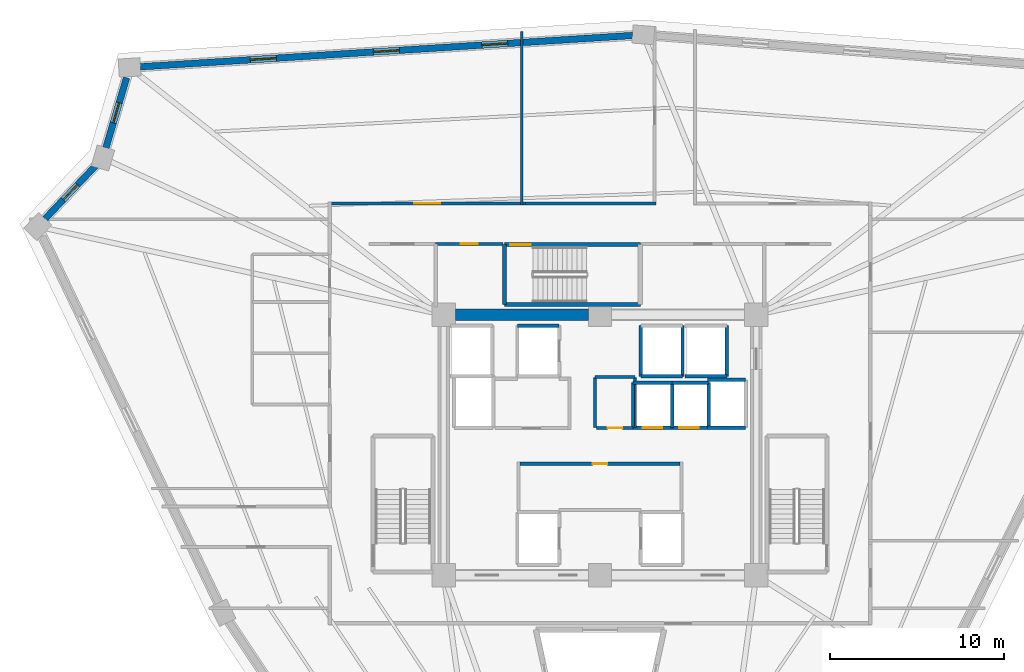
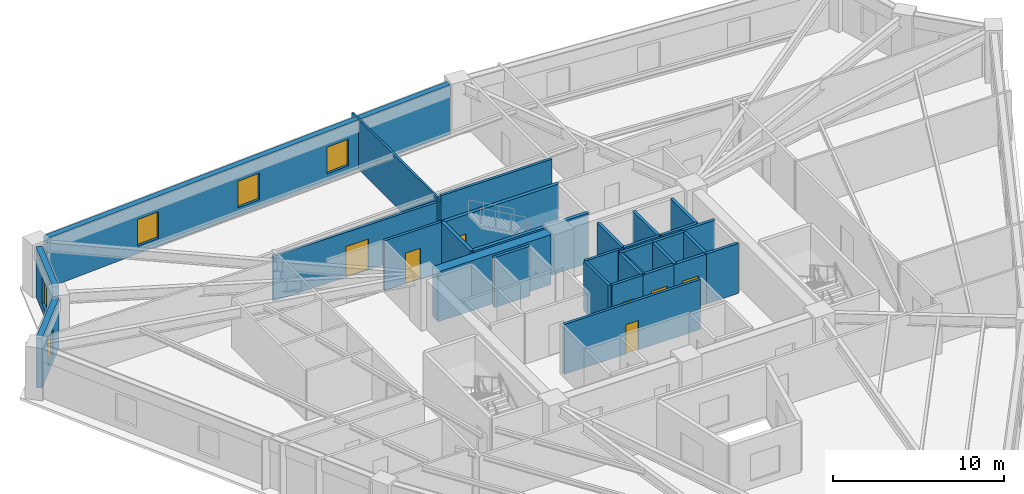
# One storey, part 5 of 8: 31 walls, 7 doors, 5 windows, 12 openings.
"""IFC4 building model written with IfcOpenShell, lengths in metres."""

from ifc_helpers import new_model, si_unit, direction, frame, frame_2d, origin, place, context, subcontext, project, spatial, rectangle, extrude, source, transform, mapped, material, layer, layer_set, type_object, element, fill, save


model = new_model("IFC4")

# Units and contexts
model_context = context("Model", 3, precision=1e-05, world=origin(), true_north=direction((0.0, 1.0)))
body_context = subcontext(model_context, "Body", "Model", "MODEL_VIEW")
ifc_project = project(units=[si_unit("LENGTHUNIT", "METRE"), si_unit("AREAUNIT", "SQUARE_METRE"), si_unit("VOLUMEUNIT", "CUBIC_METRE"), si_unit("PLANEANGLEUNIT", "RADIAN"), si_unit("MASSUNIT", "GRAM", prefix="KILO")], contexts=[model_context])

# Site, building, storey
site_placement = place(None, origin())
site = spatial("IfcSite", under=ifc_project, at=site_placement, CompositionType="ELEMENT")
building_placement = place(site_placement, origin())
building = spatial("IfcBuilding", under=site, at=building_placement, Name="Liaohun Quay Tower", CompositionType="ELEMENT")
storey_placement = place(building_placement, frame((0.0, 0.0, 240.0)))
storey = spatial("IfcBuildingStorey", under=building, at=storey_placement, Name="L62", CompositionType="ELEMENT", Elevation=240.0)

# Wall
ifc_material_1 = material(Name="Concrete C55", Category="concrete")
ifc_layer_1 = layer(ifc_material_1, 0.64990234375, Name="Concrete C55", Category="concrete")
ifc_layer_set_1 = layer_set([ifc_layer_1], Name="Concrete C55")
wall_type_1 = type_object("IfcWallType", Name="WAL-COR-Z3", PredefinedType="SHEAR", material=ifc_layer_set_1)
wall_1_placement = place(storey_placement, frame((51.675048828125, 61.5, 0.0), z_axis=(0.0, 0.0, 1.0), x_axis=(1.0, 0.0, 0.0)))
element("IfcWall", 1, at=wall_1_placement, inside=storey, type_object=wall_type_1, Name="L62 Central Core Shear Wall N-W", PredefinedType="SHEAR", context=body_context, shape_type="SweptSolid", body=[
    extrude(rectangle(XDim=7.64990234375, YDim=0.64990234375, at=frame_2d((3.824951171875, 0.0))), origin(), (0.0, 0.0, 1.0), 3.570068359375),
])

# Wall, openings, windows
ifc_material_2 = material(Name="Precast concrete C50 insulated sandwich", Category="concrete")
ifc_layer_2 = layer(ifc_material_2, 0.3798828125, Name="Precast concrete C50 insulated sandwich", Category="concrete")
ifc_layer_set_2 = layer_set([ifc_layer_2], Name="Precast concrete C50 insulated sandwich")
wall_type_2 = type_object("IfcWallType", Name="WAL-EXT-Z34", PredefinedType="SOLIDWALL", material=ifc_layer_set_2)
wall_2_placement = place(storey_placement, frame((61.876953125, 77.5810546875, 0.0), z_axis=(0.0, 0.0, 1.0), x_axis=(-0.997981063215, -0.063512183593, 0.0)))
wall_2 = element("IfcWall", 2, at=wall_2_placement, inside=storey, type_object=wall_type_2, Name="L62 Brutalist Precast Pier Wall 07", PredefinedType="SOLIDWALL", context=body_context, shape_type="SweptSolid", body=[
    extrude(rectangle(XDim=28.4033203125, YDim=0.3798828125, at=frame_2d((14.20166015625, 0.0))), origin(), (0.0, 0.0, 1.0), 3.570068359375),
])
shared_shape_1 = source(origin(), body_context, "Body", "SweptSolid", [
    extrude(rectangle(XDim=1.5, YDim=1.89990234375, at=frame_2d((0.75, 0.949951171875))), frame((0.0, 0.199951171875, 0.0), z_axis=(0.0, -1.0, 0.0), x_axis=(1.0, 0.0, 0.0)), (0.0, 0.0, 1.0), 0.39990234375),
])
opening_1_placement = place(wall_2_placement, frame((7.200927734375, 0.0, 0.550048828125)))
opening_1 = element("IfcOpeningElement", 3, at=opening_1_placement, cuts=wall_2, Name="Opening W03", PredefinedType="OPENING", context=body_context, shape_type="MappedRepresentation", body=[
    mapped(shared_shape_1, transform((0.0, 0.0, 0.0), x_axis=(1.0, 0.0, 0.0), y_axis=(0.0, 1.0, 0.0), z_axis=(0.0, 0.0, 1.0), scale=1.0)),
])
opening_2_placement = place(wall_2_placement, frame((13.451904296875, 0.0, 0.550048828125)))
opening_2 = element("IfcOpeningElement", 4, at=opening_2_placement, cuts=wall_2, Name="Opening W03", PredefinedType="OPENING", context=body_context, shape_type="MappedRepresentation", body=[
    mapped(shared_shape_1, transform((0.0, 0.0, 0.0), x_axis=(1.0, 0.0, 0.0), y_axis=(0.0, 1.0, 0.0), z_axis=(0.0, 0.0, 1.0), scale=1.0)),
])
opening_3_placement = place(wall_2_placement, frame((20.552978515625, 0.0, 0.550048828125)))
opening_3 = element("IfcOpeningElement", 5, at=opening_3_placement, cuts=wall_2, Name="Opening W03", PredefinedType="OPENING", context=body_context, shape_type="MappedRepresentation", body=[
    mapped(shared_shape_1, transform((0.0, 0.0, 0.0), x_axis=(1.0, 0.0, 0.0), y_axis=(0.0, 1.0, 0.0), z_axis=(0.0, 0.0, 1.0), scale=1.0)),
])
ifc_material_3 = material(Name="Triple Low-E argon glazing in thermally broken aluminium", Category="aluminium")
window_type_1 = type_object("IfcWindowType", Name="WIN-PUN-Z3", PartitioningType="DOUBLE_PANEL_VERTICAL", PredefinedType="WINDOW", material=ifc_material_3)
shared_shape_2 = source(origin(), body_context, "Body", "SweptSolid", [
    extrude(rectangle(XDim=1.5, YDim=1.89990234375, at=frame_2d((0.75, 0.949951171875))), frame((0.0, 0.030029296875, 0.0), z_axis=(0.0, -1.0, 0.0), x_axis=(1.0, 0.0, 0.0)), (0.0, 0.0, 1.0), 0.06005859375),
])
window_1_placement = place(opening_1_placement, origin())
window_1 = element("IfcWindow", 6, at=window_1_placement, inside=storey, type_object=window_type_1, Name="L62 Recessed Cold-Climate Punched Window 07-1", OverallHeight=1.89990234375, OverallWidth=1.5, PartitioningType="DOUBLE_PANEL_VERTICAL", PredefinedType="WINDOW", context=body_context, shape_type="MappedRepresentation", body=[
    mapped(shared_shape_2, transform((0.0, 0.0, 0.0), x_axis=(1.0, 0.0, 0.0), y_axis=(0.0, 1.0, 0.0), z_axis=(0.0, 0.0, 1.0), scale=1.0)),
])
fill(opening_1, window_1)
window_2_placement = place(opening_2_placement, origin())
window_2 = element("IfcWindow", 7, at=window_2_placement, inside=storey, type_object=window_type_1, Name="L62 Recessed Cold-Climate Punched Window 07-2", OverallHeight=1.89990234375, OverallWidth=1.5, PartitioningType="DOUBLE_PANEL_VERTICAL", PredefinedType="WINDOW", context=body_context, shape_type="MappedRepresentation", body=[
    mapped(shared_shape_2, transform((0.0, 0.0, 0.0), x_axis=(1.0, 0.0, 0.0), y_axis=(0.0, 1.0, 0.0), z_axis=(0.0, 0.0, 1.0), scale=1.0)),
])
fill(opening_2, window_2)
window_3_placement = place(opening_3_placement, origin())
window_3 = element("IfcWindow", 8, at=window_3_placement, inside=storey, type_object=window_type_1, Name="L62 Recessed Cold-Climate Punched Window 07-3", OverallHeight=1.89990234375, OverallWidth=1.5, PartitioningType="DOUBLE_PANEL_VERTICAL", PredefinedType="WINDOW", context=body_context, shape_type="MappedRepresentation", body=[
    mapped(shared_shape_2, transform((0.0, 0.0, 0.0), x_axis=(1.0, 0.0, 0.0), y_axis=(0.0, 1.0, 0.0), z_axis=(0.0, 0.0, 1.0), scale=1.0)),
])
fill(opening_3, window_3)

# Wall, opening, window
wall_3_placement = place(storey_placement, frame((32.742919921875, 75.14794921875, 0.0), z_axis=(0.0, 0.0, 1.0), x_axis=(-0.282502627228, -0.959266524804, 0.0)))
wall_3 = element("IfcWall", 9, at=wall_3_placement, inside=storey, type_object=wall_type_2, Name="L62 Brutalist Precast Pier Wall 08", PredefinedType="SOLIDWALL", context=body_context, shape_type="SweptSolid", body=[
    extrude(rectangle(XDim=4.205322265625, YDim=0.3798828125, at=frame_2d((2.1025390625, 0.0))), origin(), (0.0, 0.0, 1.0), 3.570068359375),
])
shared_shape_3 = source(origin(), body_context, "Body", "SweptSolid", [
    extrude(rectangle(XDim=1.199951171875, YDim=1.89990234375, at=frame_2d((0.60009765625, 0.949951171875))), frame((0.0, 0.199951171875, 0.0), z_axis=(0.0, -1.0, 0.0), x_axis=(1.0, 0.0, 0.0)), (0.0, 0.0, 1.0), 0.39990234375),
])
opening_4_placement = place(wall_3_placement, frame((1.5029296875, 0.0, 0.550048828125)))
opening_4 = element("IfcOpeningElement", 10, at=opening_4_placement, cuts=wall_3, Name="Opening W05", PredefinedType="OPENING", context=body_context, shape_type="MappedRepresentation", body=[
    mapped(shared_shape_3, transform((0.0, 0.0, 0.0), x_axis=(1.0, 0.0, 0.0), y_axis=(0.0, 1.0, 0.0), z_axis=(0.0, 0.0, 1.0), scale=1.0)),
])
ifc_material_4 = material(Name="Triple Low-E corner notch glazing", Category="glass")
window_type_2 = type_object("IfcWindowType", Name="WIN-NOTCH", PartitioningType="SINGLE_PANEL", PredefinedType="WINDOW", material=ifc_material_4)
shared_shape_4 = source(origin(), body_context, "Body", "SweptSolid", [
    extrude(rectangle(XDim=1.199951171875, YDim=1.89990234375, at=frame_2d((0.60009765625, 0.949951171875))), frame((0.0, 0.030029296875, 0.0), z_axis=(0.0, -1.0, 0.0), x_axis=(1.0, 0.0, 0.0)), (0.0, 0.0, 1.0), 0.06005859375),
])
window_4_placement = place(opening_4_placement, origin())
window_4 = element("IfcWindow", 11, at=window_4_placement, inside=storey, type_object=window_type_2, Name="L62 Corner Notch Window W05-08", OverallHeight=1.89990234375, OverallWidth=1.199951171875, PartitioningType="SINGLE_PANEL", PredefinedType="WINDOW", context=body_context, shape_type="MappedRepresentation", body=[
    mapped(shared_shape_4, transform((0.0, 0.0, 0.0), x_axis=(1.0, 0.0, 0.0), y_axis=(0.0, 1.0, 0.0), z_axis=(0.0, 0.0, 1.0), scale=1.0)),
])
fill(opening_4, window_4)

wall_4_placement = place(storey_placement, frame((30.95703125, 70.077880859375, 0.0), z_axis=(0.0, 0.0, 1.0), x_axis=(-0.689456996348, -0.724326618444, 0.0)))
wall_4 = element("IfcWall", 12, at=wall_4_placement, inside=storey, type_object=wall_type_2, Name="L62 Brutalist Precast Pier Wall 09", PredefinedType="SOLIDWALL", context=body_context, shape_type="SweptSolid", body=[
    extrude(rectangle(XDim=4.21484375, YDim=0.3798828125, at=frame_2d((2.107421875, 0.0))), origin(), (0.0, 0.0, 1.0), 3.570068359375),
])
opening_5_placement = place(wall_4_placement, frame((1.507080078125, 0.0, 0.550048828125)))
opening_5 = element("IfcOpeningElement", 13, at=opening_5_placement, cuts=wall_4, Name="Opening W05", PredefinedType="OPENING", context=body_context, shape_type="MappedRepresentation", body=[
    mapped(shared_shape_3, transform((0.0, 0.0, 0.0), x_axis=(1.0, 0.0, 0.0), y_axis=(0.0, 1.0, 0.0), z_axis=(0.0, 0.0, 1.0), scale=1.0)),
])
window_5_placement = place(opening_5_placement, origin())
window_5 = element("IfcWindow", 14, at=window_5_placement, inside=storey, type_object=window_type_2, Name="L62 Corner Notch Window W05-09", OverallHeight=1.89990234375, OverallWidth=1.199951171875, PartitioningType="SINGLE_PANEL", PredefinedType="WINDOW", context=body_context, shape_type="MappedRepresentation", body=[
    mapped(shared_shape_4, transform((0.0, 0.0, 0.0), x_axis=(1.0, 0.0, 0.0), y_axis=(0.0, 1.0, 0.0), z_axis=(0.0, 0.0, 1.0), scale=1.0)),
])
fill(opening_5, window_5)

# Wall, opening, door
ifc_material_5 = material(Name="Autoclaved aerated concrete blockwork", Category="masonry")
ifc_layer_3 = layer(ifc_material_5, 0.179931640625, Name="Autoclaved aerated concrete blockwork", Category="masonry")
ifc_layer_set_3 = layer_set([ifc_layer_3], Name="Autoclaved aerated concrete blockwork")
wall_type_3 = type_object("IfcWallType", Name="WAL-PRT-COR", PredefinedType="PARTITIONING", material=ifc_layer_set_3)
wall_5_placement = place(storey_placement, frame((55.389892578125, 52.919921875, 0.0), z_axis=(0.0, 0.0, 1.0), x_axis=(1.0, 0.0, 0.0)))
wall_5 = element("IfcWall", 15, at=wall_5_placement, inside=storey, type_object=wall_type_3, Name="L62 Interior Partition Wall 001", PredefinedType="PARTITIONING", context=body_context, shape_type="SweptSolid", body=[
    extrude(rectangle(XDim=9.22021484375, YDim=0.179931640625, at=frame_2d((4.610107421875, 0.0))), origin(), (0.0, 0.0, 1.0), 3.570068359375),
])
shared_shape_5 = source(origin(), body_context, "Body", "SweptSolid", [
    extrude(rectangle(XDim=0.85009765625, YDim=2.10009765625, at=frame_2d((0.425048828125, 1.050048828125))), frame((0.0, 0.099853515625, 0.0), z_axis=(0.0, -1.0, 0.0), x_axis=(1.0, 0.0, 0.0)), (0.0, 0.0, 1.0), 0.199951171875),
])
opening_6_placement = place(wall_5_placement, frame((4.18505859375, 0.0, 0.0)))
opening_6 = element("IfcOpeningElement", 16, at=opening_6_placement, cuts=wall_5, Name="Opening AD1", PredefinedType="OPENING", context=body_context, shape_type="MappedRepresentation", body=[
    mapped(shared_shape_5, transform((0.0, 0.0, 0.0), x_axis=(1.0, 0.0, 0.0), y_axis=(0.0, 1.0, 0.0), z_axis=(0.0, 0.0, 1.0), scale=1.0)),
])
ifc_material_6 = material(Name="Steel riser inspection fire door", Category="steel")
door_type_1 = type_object("IfcDoorType", Name="DOR-SHF-850", OperationType="NOTDEFINED", PredefinedType="DOOR", material=ifc_material_6)
shared_shape_6 = source(origin(), body_context, "Body", "SweptSolid", [
    extrude(rectangle(XDim=0.85009765625, YDim=2.10009765625, at=frame_2d((0.425048828125, 1.050048828125))), frame((0.0, 0.02490234375, 0.0), z_axis=(0.0, -1.0, 0.0), x_axis=(1.0, 0.0, 0.0)), (0.0, 0.0, 1.0), 0.050048828125),
])
door_1_placement = place(opening_6_placement, origin())
door_1 = element("IfcDoor", 17, at=door_1_placement, inside=storey, type_object=door_type_1, Name="L62 Core Tenant Storage and Archive Room Door", OperationType="SINGLE_SWING_LEFT", OverallHeight=2.10009765625, OverallWidth=0.85009765625, PredefinedType="DOOR", context=body_context, shape_type="MappedRepresentation", body=[
    mapped(shared_shape_6, transform((0.0, 0.0, 0.0), x_axis=(1.0, 0.0, 0.0), y_axis=(0.0, 1.0, 0.0), z_axis=(0.0, 0.0, 1.0), scale=1.0)),
])
fill(opening_6, door_1)

wall_6_placement = place(storey_placement, frame((59.81005859375, 54.97998046875, 0.0), z_axis=(0.0, 0.0, 1.0), x_axis=(1.0, 0.0, 0.0)))
wall_6 = element("IfcWall", 18, at=wall_6_placement, inside=storey, type_object=wall_type_3, Name="L62 Interior Partition Wall 003", PredefinedType="PARTITIONING", context=body_context, shape_type="SweptSolid", body=[
    extrude(rectangle(XDim=2.08984375, YDim=0.179931640625, at=frame_2d((1.044921875, 0.0))), origin(), (0.0, 0.0, 1.0), 3.570068359375),
])
opening_7_placement = place(wall_6_placement, frame((0.635009765625, 0.0, 0.0)))
opening_7 = element("IfcOpeningElement", 19, at=opening_7_placement, cuts=wall_6, Name="Opening AD1", PredefinedType="OPENING", context=body_context, shape_type="MappedRepresentation", body=[
    mapped(shared_shape_5, transform((0.0, 0.0, 0.0), x_axis=(1.0, 0.0, 0.0), y_axis=(0.0, 1.0, 0.0), z_axis=(0.0, 0.0, 1.0), scale=1.0)),
])
door_2_placement = place(opening_7_placement, origin())
door_2 = element("IfcDoor", 20, at=door_2_placement, inside=storey, type_object=door_type_1, Name="L62 Core Electrical and Telecom Riser Room Door", OperationType="SINGLE_SWING_LEFT", OverallHeight=2.10009765625, OverallWidth=0.85009765625, PredefinedType="DOOR", context=body_context, shape_type="MappedRepresentation", body=[
    mapped(shared_shape_6, transform((0.0, 0.0, 0.0), x_axis=(1.0, 0.0, 0.0), y_axis=(0.0, 1.0, 0.0), z_axis=(0.0, 0.0, 1.0), scale=1.0)),
])
fill(opening_7, door_2)

wall_7_placement = place(storey_placement, frame((50.5400390625, 65.580078125, 0.0), z_axis=(0.0, 0.0, 1.0), x_axis=(1.0, 0.0, 0.0)))
wall_7 = element("IfcWall", 21, at=wall_7_placement, inside=storey, type_object=wall_type_3, Name="L62 Interior Partition Wall 007", PredefinedType="PARTITIONING", context=body_context, shape_type="SweptSolid", body=[
    extrude(rectangle(XDim=3.869873046875, YDim=0.179931640625, at=frame_2d((1.93505859375, 0.0))), origin(), (0.0, 0.0, 1.0), 3.570068359375),
])
shared_shape_7 = source(origin(), body_context, "Body", "SweptSolid", [
    extrude(rectangle(XDim=1.0, YDim=2.199951171875, at=frame_2d((0.5, 1.10009765625))), frame((0.0, 0.099853515625, 0.0), z_axis=(0.0, -1.0, 0.0), x_axis=(1.0, 0.0, 0.0)), (0.0, 0.0, 1.0), 0.199951171875),
])
opening_8_placement = place(wall_7_placement, frame((1.43505859375, 0.0, 0.0)))
opening_8 = element("IfcOpeningElement", 22, at=opening_8_placement, cuts=wall_7, Name="Opening OD1", PredefinedType="OPENING", context=body_context, shape_type="MappedRepresentation", body=[
    mapped(shared_shape_7, transform((0.0, 0.0, 0.0), x_axis=(1.0, 0.0, 0.0), y_axis=(0.0, 1.0, 0.0), z_axis=(0.0, 0.0, 1.0), scale=1.0)),
])
ifc_material_7 = material(Name="Solid-core oak veneer timber leaf in steel frame", Category="steel")
door_type_2 = type_object("IfcDoorType", Name="DOR-OFF-1000", OperationType="NOTDEFINED", PredefinedType="DOOR", material=ifc_material_7)
shared_shape_8 = source(origin(), body_context, "Body", "SweptSolid", [
    extrude(rectangle(XDim=1.0, YDim=2.199951171875, at=frame_2d((0.5, 1.10009765625))), frame((0.0, 0.02490234375, 0.0), z_axis=(0.0, -1.0, 0.0), x_axis=(1.0, 0.0, 0.0)), (0.0, 0.0, 1.0), 0.050048828125),
])
door_3_placement = place(opening_8_placement, origin())
door_3 = element("IfcDoor", 23, at=door_3_placement, inside=storey, type_object=door_type_2, Name="L62 North-West Print and Telecom Room Door", OperationType="SINGLE_SWING_LEFT", OverallHeight=2.199951171875, OverallWidth=1.0, PredefinedType="DOOR", context=body_context, shape_type="MappedRepresentation", body=[
    mapped(shared_shape_8, transform((0.0, 0.0, 0.0), x_axis=(1.0, 0.0, 0.0), y_axis=(0.0, 1.0, 0.0), z_axis=(0.0, 0.0, 1.0), scale=1.0)),
])
fill(opening_8, door_3)

wall_8_placement = place(storey_placement, frame((44.3701171875, 67.909912109375, 0.0), z_axis=(0.0, 0.0, 1.0), x_axis=(1.0, 0.0, 0.0)))
wall_8 = element("IfcWall", 24, at=wall_8_placement, inside=storey, type_object=wall_type_3, Name="L62 Interior Partition Wall 015", PredefinedType="PARTITIONING", context=body_context, shape_type="SweptSolid", body=[
    extrude(rectangle(XDim=11.344970703125, YDim=0.179931640625, at=frame_2d((5.67236328125, 0.0))), origin(), (0.0, 0.0, 1.0), 3.205078125),
])
shared_shape_9 = source(origin(), body_context, "Body", "SweptSolid", [
    extrude(rectangle(XDim=1.5, YDim=2.199951171875, at=frame_2d((0.75, 1.10009765625))), frame((0.0, 0.099853515625, 0.0), z_axis=(0.0, -1.0, 0.0), x_axis=(1.0, 0.0, 0.0)), (0.0, 0.0, 1.0), 0.199951171875),
])
opening_9_placement = place(wall_8_placement, frame((4.923095703125, 0.0, 0.0)))
opening_9 = element("IfcOpeningElement", 25, at=opening_9_placement, cuts=wall_8, Name="Opening OD2", PredefinedType="OPENING", context=body_context, shape_type="MappedRepresentation", body=[
    mapped(shared_shape_9, transform((0.0, 0.0, 0.0), x_axis=(1.0, 0.0, 0.0), y_axis=(0.0, 1.0, 0.0), z_axis=(0.0, 0.0, 1.0), scale=1.0)),
])
ifc_material_8 = material(Name="Acoustic oak veneer double door")
door_type_3 = type_object("IfcDoorType", Name="DOR-OFF-1500", OperationType="DOUBLE_DOOR_SINGLE_SWING", PredefinedType="DOOR", material=ifc_material_8)
shared_shape_10 = source(origin(), body_context, "Body", "SweptSolid", [
    extrude(rectangle(XDim=1.5, YDim=2.199951171875, at=frame_2d((0.75, 1.10009765625))), frame((0.0, 0.02490234375, 0.0), z_axis=(0.0, -1.0, 0.0), x_axis=(1.0, 0.0, 0.0)), (0.0, 0.0, 1.0), 0.050048828125),
])
door_4_placement = place(opening_9_placement, origin())
door_4 = element("IfcDoor", 26, at=door_4_placement, inside=storey, type_object=door_type_3, Name="L62 Engineering Model Workshop 05 Door", OperationType="DOUBLE_DOOR_SINGLE_SWING", OverallHeight=2.199951171875, OverallWidth=1.5, PredefinedType="DOOR", context=body_context, shape_type="MappedRepresentation", body=[
    mapped(shared_shape_10, transform((0.0, 0.0, 0.0), x_axis=(1.0, 0.0, 0.0), y_axis=(0.0, 1.0, 0.0), z_axis=(0.0, 0.0, 1.0), scale=1.0)),
])
fill(opening_9, door_4)

# Walls
for number, where, z_axis, x_axis, name in (
    (27, (59.719970703125, 55.02001953125, 0.0), (0.0, 0.0, 1.0), (0.0, 1.0, 0.0), "L62 Interior Partition Wall 021"),
    (28, (62.010009765625, 55.02001953125, 0.0), (0.0, 0.0, 1.0), (0.0, 1.0, 0.0), "L62 Interior Partition Wall 022"),
):
    element("IfcWall", number, at=place(storey_placement, frame(where, z_axis=z_axis, x_axis=x_axis)), inside=storey, type_object=wall_type_3, Name=name, PredefinedType="PARTITIONING", context=body_context, shape_type="SweptSolid", body=[
        extrude(rectangle(XDim=2.8798828125, YDim=0.179931640625, at=frame_2d((1.43994140625, 0.0))), origin(), (0.0, 0.0, 1.0), 3.570068359375),
    ])
wall_9_placement = place(storey_placement, frame((59.719970703125, 57.919921875, 0.0), z_axis=(0.0, 0.0, 1.0), x_axis=(1.0, 0.0, 0.0)))
element("IfcWall", 29, at=wall_9_placement, inside=storey, type_object=wall_type_3, Name="L62 Interior Partition Wall 023", PredefinedType="PARTITIONING", context=body_context, shape_type="SweptSolid", body=[
    extrude(rectangle(XDim=2.2900390625, YDim=0.179931640625, at=frame_2d((1.14501953125, 0.0))), origin(), (0.0, 0.0, 1.0), 3.570068359375),
])
wall_10_placement = place(storey_placement, frame((55.715087890625, 67.909912109375, 0.0), z_axis=(0.0, 0.0, 1.0), x_axis=(1.0, 0.0, 0.0)))
element("IfcWall", 30, at=wall_10_placement, inside=storey, type_object=wall_type_3, Name="L62 Interior Partition Wall 033", PredefinedType="PARTITIONING", context=body_context, shape_type="SweptSolid", body=[
    extrude(rectangle(XDim=7.494873046875, YDim=0.179931640625, at=frame_2d((3.74755859375, 0.0))), origin(), (0.0, 0.0, 1.0), 3.570068359375),
])
ifc_material_9 = material(Name="Gypsum board on twin steel studs", Category="steel")
ifc_layer_4 = layer(ifc_material_9, 0.139892578125, Name="Gypsum board on twin steel studs", Category="steel")
ifc_layer_set_4 = layer_set([ifc_layer_4], Name="Gypsum board on twin steel studs")
wall_type_4 = type_object("IfcWallType", Name="WAL-PRT-OFF", PredefinedType="PARTITIONING", material=ifc_layer_set_4)
wall_11_placement = place(storey_placement, frame((55.5, 67.81005859375, 0.0), z_axis=(0.0, 0.0, 1.0), x_axis=(0.0, 1.0, 0.0)))
element("IfcWall", 31, at=wall_11_placement, inside=storey, type_object=wall_type_4, Name="L62 Interior Partition Wall 047", PredefinedType="PARTITIONING", context=body_context, shape_type="SweptSolid", body=[
    extrude(rectangle(XDim=9.995849609375, YDim=0.139892578125, at=frame_2d((4.998046875, 0.0))), origin(), (0.0, 0.0, 1.0), 3.570068359375),
])
ifc_material_10 = material(Name="Concrete C50", Category="concrete")
ifc_layer_5 = layer(ifc_material_10, 0.239990234375, Name="Concrete C50", Category="concrete")
ifc_layer_set_5 = layer_set([ifc_layer_5], Name="Concrete C50")
wall_type_5 = type_object("IfcWallType", Name="WAL-SHF-200", PredefinedType="SOLIDWALL", material=ifc_layer_set_5)
wall_12_placement = place(storey_placement, frame((54.5, 62.10009765625, 0.0), z_axis=(0.0, 0.0, 1.0), x_axis=(1.0, 0.0, 0.0)))
element("IfcWall", 32, at=wall_12_placement, inside=storey, type_object=wall_type_5, Name="L62 Stairwell ST-3 Structural Core Wall S", PredefinedType="SOLIDWALL", context=body_context, shape_type="SweptSolid", body=[
    extrude(rectangle(XDim=7.820068359375, YDim=0.239990234375, at=frame_2d((3.91015625, 0.0))), origin(), (0.0, 0.0, 1.0), 3.570068359375),
])

# Wall, opening, door
wall_13_placement = place(storey_placement, frame((62.320068359375, 65.5400390625, 0.0), z_axis=(0.0, 0.0, 1.0), x_axis=(-1.0, 0.0, 0.0)))
wall_13 = element("IfcWall", 33, at=wall_13_placement, inside=storey, type_object=wall_type_5, Name="L62 Stairwell ST-3 Structural Core Wall N", PredefinedType="SOLIDWALL", context=body_context, shape_type="SweptSolid", body=[
    extrude(rectangle(XDim=7.820068359375, YDim=0.239990234375, at=frame_2d((3.91015625, 0.0))), origin(), (0.0, 0.0, 1.0), 3.570068359375),
])
shared_shape_11 = source(origin(), body_context, "Body", "SweptSolid", [
    extrude(rectangle(XDim=1.199951171875, YDim=2.199951171875, at=frame_2d((0.60009765625, 1.10009765625))), frame((0.0, 0.1298828125, 0.0), z_axis=(0.0, -1.0, 0.0), x_axis=(1.0, 0.0, 0.0)), (0.0, 0.0, 1.0), 0.260009765625),
])
opening_10_placement = place(wall_13_placement, frame((6.300048828125, 0.0, 0.0)))
opening_10 = element("IfcOpeningElement", 34, at=opening_10_placement, cuts=wall_13, Name="Opening SD1", PredefinedType="OPENING", context=body_context, shape_type="MappedRepresentation", body=[
    mapped(shared_shape_11, transform((0.0, 0.0, 0.0), x_axis=(1.0, 0.0, 0.0), y_axis=(0.0, 1.0, 0.0), z_axis=(0.0, 0.0, 1.0), scale=1.0)),
])
ifc_material_11 = material(Name="Galvanised steel fire door", Category="steel")
door_type_4 = type_object("IfcDoorType", Name="DOR-STR-1200", OperationType="NOTDEFINED", PredefinedType="DOOR", material=ifc_material_11)
shared_shape_12 = source(origin(), body_context, "Body", "SweptSolid", [
    extrude(rectangle(XDim=1.199951171875, YDim=2.199951171875, at=frame_2d((0.60009765625, 1.10009765625))), frame((0.0, 0.02490234375, 0.0), z_axis=(0.0, -1.0, 0.0), x_axis=(1.0, 0.0, 0.0)), (0.0, 0.0, 1.0), 0.050048828125),
])
door_5_placement = place(opening_10_placement, origin())
door_5 = element("IfcDoor", 35, at=door_5_placement, inside=storey, type_object=door_type_4, Name="L62 Protected Stair ST-3 Fire Door", OperationType="SINGLE_SWING_RIGHT", OverallHeight=2.199951171875, OverallWidth=1.199951171875, PredefinedType="DOOR", context=body_context, shape_type="MappedRepresentation", body=[
    mapped(shared_shape_12, transform((0.0, 0.0, 0.0), x_axis=(1.0, 0.0, 0.0), y_axis=(0.0, 1.0, 0.0), z_axis=(0.0, 0.0, 1.0), scale=1.0)),
])
fill(opening_10, door_5)

# Walls
wall_14_placement = place(storey_placement, frame((54.5, 65.5400390625, 0.0), z_axis=(0.0, 0.0, 1.0), x_axis=(0.0, -1.0, 0.0)))
element("IfcWall", 36, at=wall_14_placement, inside=storey, type_object=wall_type_5, Name="L62 Stairwell ST-3 Structural Core Wall W", PredefinedType="SOLIDWALL", context=body_context, shape_type="SweptSolid", body=[
    extrude(rectangle(XDim=3.43994140625, YDim=0.239990234375, at=frame_2d((1.719970703125, 0.0))), origin(), (0.0, 0.0, 1.0), 3.570068359375),
])
for number, where, z_axis, x_axis, name in (
    (37, (57.64990234375, 60.8798828125, 0.0), (0.0, 0.0, 1.0), (-1.0, 0.0, 0.0), "L62 Lift FF-03 Hoistway Wall N"),
    (38, (62.35009765625, 57.949951171875, 0.0), (0.0, 0.0, 1.0), (1.0, 0.0, 0.0), "L62 Lift OB-01 Hoistway Wall S"),
):
    element("IfcWall", number, at=place(storey_placement, frame(where, z_axis=z_axis, x_axis=x_axis)), inside=storey, type_object=wall_type_5, Name=name, PredefinedType="SOLIDWALL", context=body_context, shape_type="SweptSolid", body=[
        extrude(rectangle(XDim=2.39990234375, YDim=0.199951171875, at=frame_2d((1.199951171875, 0.0))), origin(), (0.0, 0.0, 1.0), 3.570068359375),
    ])
for number, where, z_axis, x_axis, name in (
    (39, (64.75, 57.949951171875, 0.0), (0.0, 0.0, 1.0), (0.0, 1.0, 0.0), "L62 Lift OB-01 Hoistway Wall E"),
    (40, (62.35009765625, 60.8798828125, 0.0), (0.0, 0.0, 1.0), (0.0, -1.0, 0.0), "L62 Lift OB-01 Hoistway Wall W"),
):
    element("IfcWall", number, at=place(storey_placement, frame(where, z_axis=z_axis, x_axis=x_axis)), inside=storey, type_object=wall_type_5, Name=name, PredefinedType="SOLIDWALL", context=body_context, shape_type="SweptSolid", body=[
        extrude(rectangle(XDim=2.929931640625, YDim=0.199951171875, at=frame_2d((1.46484375, 0.0))), origin(), (0.0, 0.0, 1.0), 3.570068359375),
    ])
wall_15_placement = place(storey_placement, frame((64.89990234375, 57.949951171875, 0.0), z_axis=(0.0, 0.0, 1.0), x_axis=(1.0, 0.0, 0.0)))
element("IfcWall", 41, at=wall_15_placement, inside=storey, type_object=wall_type_5, Name="L62 Lift OB-02 Hoistway Wall S", PredefinedType="SOLIDWALL", context=body_context, shape_type="SweptSolid", body=[
    extrude(rectangle(XDim=2.400146484375, YDim=0.199951171875, at=frame_2d((1.2001953125, 0.0))), origin(), (0.0, 0.0, 1.0), 3.570068359375),
])
wall_16_placement = place(storey_placement, frame((67.300048828125, 57.949951171875, 0.0), z_axis=(0.0, 0.0, 1.0), x_axis=(0.0, 1.0, 0.0)))
element("IfcWall", 42, at=wall_16_placement, inside=storey, type_object=wall_type_5, Name="L62 Lift OB-02 Hoistway Wall E", PredefinedType="SOLIDWALL", context=body_context, shape_type="SweptSolid", body=[
    extrude(rectangle(XDim=2.929931640625, YDim=0.199951171875, at=frame_2d((1.46484375, 0.0))), origin(), (0.0, 0.0, 1.0), 3.570068359375),
])
for number, where, z_axis, x_axis, name in (
    (43, (66.199951171875, 55.0, 0.0), (0.0, 0.0, 1.0), (1.0, 0.0, 0.0), "L62 Lift SH-03 Hoistway Wall S"),
    (44, (68.3798828125, 57.75, 0.0), (0.0, 0.0, 1.0), (-1.0, 0.0, 0.0), "L62 Lift SH-03 Hoistway Wall N"),
):
    element("IfcWall", number, at=place(storey_placement, frame(where, z_axis=z_axis, x_axis=x_axis)), inside=storey, type_object=wall_type_5, Name=name, PredefinedType="SOLIDWALL", context=body_context, shape_type="SweptSolid", body=[
        extrude(rectangle(XDim=2.179931640625, YDim=0.199951171875, at=frame_2d((1.08984375, 0.0))), origin(), (0.0, 0.0, 1.0), 3.570068359375),
    ])

# Wall, opening, door
wall_17_placement = place(storey_placement, frame((61.89990234375, 55.0, 0.0), z_axis=(0.0, 0.0, 1.0), x_axis=(1.0, 0.0, 0.0)))
wall_17 = element("IfcWall", 45, at=wall_17_placement, inside=storey, type_object=wall_type_5, Name="L62 Lift PL-3A Hoistway Wall S", PredefinedType="SOLIDWALL", context=body_context, shape_type="SweptSolid", body=[
    extrude(rectangle(XDim=2.25, YDim=0.199951171875, at=frame_2d((1.125, 0.0))), origin(), (0.0, 0.0, 1.0), 3.570068359375),
])
shared_shape_13 = source(origin(), body_context, "Body", "SweptSolid", [
    extrude(rectangle(XDim=1.10009765625, YDim=2.199951171875, at=frame_2d((0.550048828125, 1.10009765625))), frame((0.0, 0.10986328125, 0.0), z_axis=(0.0, -1.0, 0.0), x_axis=(1.0, 0.0, 0.0)), (0.0, 0.0, 1.0), 0.219970703125),
])
opening_11_placement = place(wall_17_placement, frame((0.574951171875, 0.0, 0.0)))
opening_11 = element("IfcOpeningElement", 46, at=opening_11_placement, cuts=wall_17, Name="Opening LD1", PredefinedType="OPENING", context=body_context, shape_type="MappedRepresentation", body=[
    mapped(shared_shape_13, transform((0.0, 0.0, 0.0), x_axis=(1.0, 0.0, 0.0), y_axis=(0.0, 1.0, 0.0), z_axis=(0.0, 0.0, 1.0), scale=1.0)),
])
ifc_material_12 = material(Name="Brushed stainless steel landing door", Category="steel")
door_type_5 = type_object("IfcDoorType", Name="DOR-LFT-1100", OperationType="SLIDING_TO_LEFT", PredefinedType="DOOR", material=ifc_material_12)
shared_shape_14 = source(origin(), body_context, "Body", "SweptSolid", [
    extrude(rectangle(XDim=1.10009765625, YDim=2.199951171875, at=frame_2d((0.550048828125, 1.10009765625))), frame((0.0, 0.02490234375, 0.0), z_axis=(0.0, -1.0, 0.0), x_axis=(1.0, 0.0, 0.0)), (0.0, 0.0, 1.0), 0.050048828125),
])
door_6_placement = place(opening_11_placement, origin())
door_6 = element("IfcDoor", 47, at=door_6_placement, inside=storey, type_object=door_type_5, Name="L62 Lift PL-3A Sliding Landing Door", OperationType="SLIDING_TO_LEFT", OverallHeight=2.199951171875, OverallWidth=1.10009765625, PredefinedType="DOOR", context=body_context, shape_type="MappedRepresentation", body=[
    mapped(shared_shape_14, transform((0.0, 0.0, 0.0), x_axis=(1.0, 0.0, 0.0), y_axis=(0.0, 1.0, 0.0), z_axis=(0.0, 0.0, 1.0), scale=1.0)),
])
fill(opening_11, door_6)

# Walls
wall_18_placement = place(storey_placement, frame((64.14990234375, 55.0, 0.0), z_axis=(0.0, 0.0, 1.0), x_axis=(0.0, 1.0, 0.0)))
element("IfcWall", 48, at=wall_18_placement, inside=storey, type_object=wall_type_5, Name="L62 Lift PL-3A Hoistway Wall E", PredefinedType="SOLIDWALL", context=body_context, shape_type="SweptSolid", body=[
    extrude(rectangle(XDim=2.60009765625, YDim=0.199951171875, at=frame_2d((1.300048828125, 0.0))), origin(), (0.0, 0.0, 1.0), 3.570068359375),
])
wall_19_placement = place(storey_placement, frame((64.14990234375, 57.60009765625, 0.0), z_axis=(0.0, 0.0, 1.0), x_axis=(-1.0, 0.0, 0.0)))
element("IfcWall", 49, at=wall_19_placement, inside=storey, type_object=wall_type_5, Name="L62 Lift PL-3A Hoistway Wall N", PredefinedType="SOLIDWALL", context=body_context, shape_type="SweptSolid", body=[
    extrude(rectangle(XDim=2.25, YDim=0.199951171875, at=frame_2d((1.125, 0.0))), origin(), (0.0, 0.0, 1.0), 3.570068359375),
])
wall_20_placement = place(storey_placement, frame((61.89990234375, 57.60009765625, 0.0), z_axis=(0.0, 0.0, 1.0), x_axis=(0.0, -1.0, 0.0)))
element("IfcWall", 50, at=wall_20_placement, inside=storey, type_object=wall_type_5, Name="L62 Lift PL-3A Hoistway Wall W", PredefinedType="SOLIDWALL", context=body_context, shape_type="SweptSolid", body=[
    extrude(rectangle(XDim=2.60009765625, YDim=0.199951171875, at=frame_2d((1.300048828125, 0.0))), origin(), (0.0, 0.0, 1.0), 3.570068359375),
])

# Wall, opening, door
wall_21_placement = place(storey_placement, frame((64.0, 55.0, 0.0), z_axis=(0.0, 0.0, 1.0), x_axis=(1.0, 0.0, 0.0)))
wall_21 = element("IfcWall", 51, at=wall_21_placement, inside=storey, type_object=wall_type_5, Name="L62 Lift PL-3B Hoistway Wall S", PredefinedType="SOLIDWALL", context=body_context, shape_type="SweptSolid", body=[
    extrude(rectangle(XDim=2.25, YDim=0.199951171875, at=frame_2d((1.125, 0.0))), origin(), (0.0, 0.0, 1.0), 3.570068359375),
])
opening_12_placement = place(wall_21_placement, frame((0.574951171875, 0.0, 0.0)))
opening_12 = element("IfcOpeningElement", 52, at=opening_12_placement, cuts=wall_21, Name="Opening LD1", PredefinedType="OPENING", context=body_context, shape_type="MappedRepresentation", body=[
    mapped(shared_shape_13, transform((0.0, 0.0, 0.0), x_axis=(1.0, 0.0, 0.0), y_axis=(0.0, 1.0, 0.0), z_axis=(0.0, 0.0, 1.0), scale=1.0)),
])
door_7_placement = place(opening_12_placement, origin())
door_7 = element("IfcDoor", 53, at=door_7_placement, inside=storey, type_object=door_type_5, Name="L62 Lift PL-3B Sliding Landing Door", OperationType="SLIDING_TO_LEFT", OverallHeight=2.199951171875, OverallWidth=1.10009765625, PredefinedType="DOOR", context=body_context, shape_type="MappedRepresentation", body=[
    mapped(shared_shape_14, transform((0.0, 0.0, 0.0), x_axis=(1.0, 0.0, 0.0), y_axis=(0.0, 1.0, 0.0), z_axis=(0.0, 0.0, 1.0), scale=1.0)),
])
fill(opening_12, door_7)

# Walls
wall_22_placement = place(storey_placement, frame((66.25, 55.0, 0.0), z_axis=(0.0, 0.0, 1.0), x_axis=(0.0, 1.0, 0.0)))
element("IfcWall", 54, at=wall_22_placement, inside=storey, type_object=wall_type_5, Name="L62 Lift PL-3B Hoistway Wall E", PredefinedType="SOLIDWALL", context=body_context, shape_type="SweptSolid", body=[
    extrude(rectangle(XDim=2.60009765625, YDim=0.199951171875, at=frame_2d((1.300048828125, 0.0))), origin(), (0.0, 0.0, 1.0), 3.570068359375),
])
wall_23_placement = place(storey_placement, frame((66.25, 57.60009765625, 0.0), z_axis=(0.0, 0.0, 1.0), x_axis=(-1.0, 0.0, 0.0)))
element("IfcWall", 55, at=wall_23_placement, inside=storey, type_object=wall_type_5, Name="L62 Lift PL-3B Hoistway Wall N", PredefinedType="SOLIDWALL", context=body_context, shape_type="SweptSolid", body=[
    extrude(rectangle(XDim=2.25, YDim=0.199951171875, at=frame_2d((1.125, 0.0))), origin(), (0.0, 0.0, 1.0), 3.570068359375),
])

save(model, "model.ifc")
